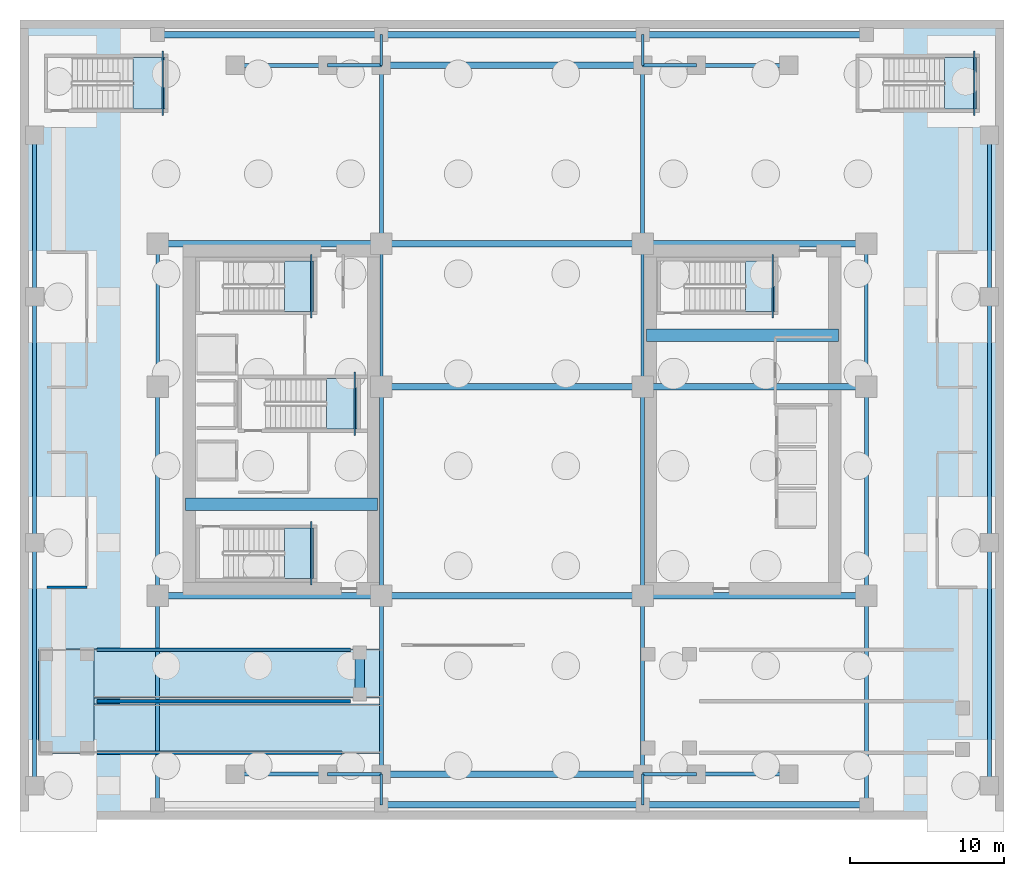
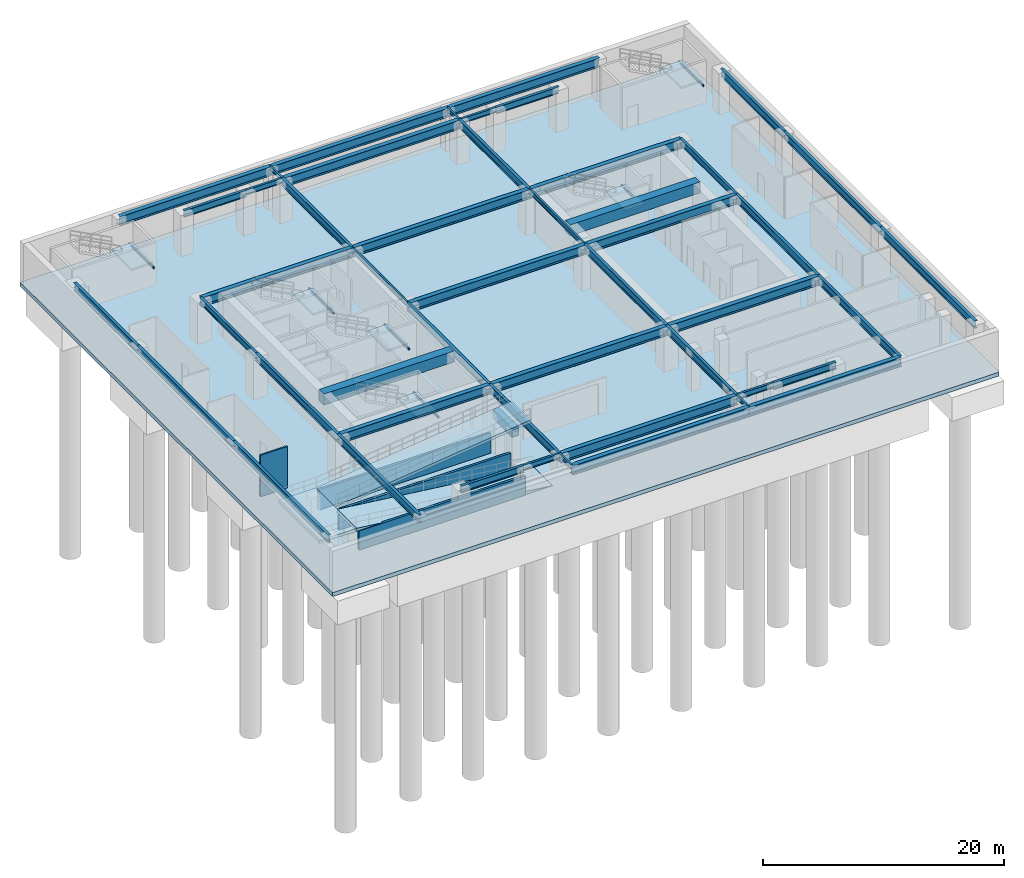
# One storey, part 2 of 9: 56 beams, 10 slabs, 4 walls, 6 elements without a shape of their own.
"""IFC4 building model written with IfcOpenShell, lengths in metres."""

import ifcopenshell
import ifcopenshell.guid

model = None  # the IFC model being written
_history = None  # IfcOwnerHistory: only IFC2X3 demands one
_inside = {}  # id of a spatial element -> (the spatial element, [elements in it])
_under = {}  # id of a project, library or spatial element -> (it, [spatial elements below it])
_declared = {}  # id of a project -> (the project, [libraries it declares])
_typed = {}  # id of a type object -> (the type object, [elements of that type])
_made_of = {}  # id of a material, layer set ... -> (it, [elements and type objects made of it])


def new_model(schema):
    """Start an empty IFC model of exactly this schema.

    Asked for "IFC4X3", IfcOpenShell would pick the latest addendum, in which some entities
    have other attributes; the version numbers below select the first issue.
    IFC2X3 requires an IfcOwnerHistory on every rooted entity: one is made here for all.
    """
    global model, _history
    if schema == "IFC4X3":
        model = ifcopenshell.file(schema_version=(4, 3, 0, 0))
    else:
        model = ifcopenshell.file(schema=schema)
    _inside.clear()
    _under.clear()
    _declared.clear()
    _typed.clear()
    _made_of.clear()
    _history = None
    if model.schema == "IFC2X3":
        org = make("IfcOrganization", Name="unknown")
        user = make(
            "IfcPersonAndOrganization",
            ThePerson=make("IfcPerson", FamilyName="unknown"),
            TheOrganization=org,
        )
        app = make(
            "IfcApplication",
            ApplicationDeveloper=org,
            Version="unknown",
            ApplicationFullName="unknown",
            ApplicationIdentifier="unknown",
        )
        _history = make(
            "IfcOwnerHistory",
            OwningUser=user,
            OwningApplication=app,
            ChangeAction="ADDED",
            CreationDate=0,
        )
    return model


def make(cls, **values):
    """One entity of the class cls with the attributes given. An attribute that is None is left unset."""
    return model.create_entity(
        cls, **{name: value for name, value in values.items() if value is not None}
    )


def rooted(cls, **values):
    """An entity with a GlobalId (a new one), such as an element, a storey or a relation."""
    return make(cls, GlobalId=ifcopenshell.guid.new(), OwnerHistory=_history, **values)


def si_unit(unit_type, name, prefix=None):
    """IfcSIUnit, for example si_unit("LENGTHUNIT", "METRE", prefix="MILLI")."""
    return make("IfcSIUnit", UnitType=unit_type, Prefix=prefix, Name=name)


def assignment(units):
    """IfcUnitAssignment: the units of a project."""
    return None if units is None else make("IfcUnitAssignment", Units=units)


def point(xyz):
    """IfcCartesianPoint."""
    return None if xyz is None else make("IfcCartesianPoint", Coordinates=xyz)


def direction(xyz):
    """IfcDirection."""
    return None if xyz is None else make("IfcDirection", DirectionRatios=xyz)


def frame(location, z_axis=None, x_axis=None):
    """IfcAxis2Placement3D, a coordinate frame: its origin and axes. An axis left out is left unset."""
    return make(
        "IfcAxis2Placement3D",
        Location=point(location),
        Axis=direction(z_axis),
        RefDirection=direction(x_axis),
    )


def frame_2d(location, x_axis=None):
    """IfcAxis2Placement2D, a coordinate frame in the plane: its origin and x axis."""
    return make(
        "IfcAxis2Placement2D", Location=point(location), RefDirection=direction(x_axis)
    )


def origin():
    """The frame at (0, 0, 0) with its axes left unset."""
    return frame((0.0, 0.0, 0.0))


def origin_2d():
    """The frame at (0, 0) in the plane with its x axis left unset."""
    return frame_2d((0.0, 0.0))


def place(relative_to, where):
    """IfcLocalPlacement: puts the frame where relative to a parent placement (None: the world)."""
    return make(
        "IfcLocalPlacement", PlacementRelTo=relative_to, RelativePlacement=where
    )


def context(
    kind, dimensions, precision=None, world=None, true_north=None, identifier=None
):
    """IfcGeometricRepresentationContext, for example the 3D "Model" context."""
    return make(
        "IfcGeometricRepresentationContext",
        ContextIdentifier=identifier,
        ContextType=kind,
        CoordinateSpaceDimension=dimensions,
        Precision=precision,
        WorldCoordinateSystem=world,
        TrueNorth=true_north,
    )


def subcontext(parent, identifier, kind, view, scale=None):
    """IfcGeometricRepresentationSubContext, for example "Body" below "Model"."""
    return make(
        "IfcGeometricRepresentationSubContext",
        ContextIdentifier=identifier,
        ContextType=kind,
        ParentContext=parent,
        TargetScale=scale,
        TargetView=view,
    )


def project(units=None, contexts=None):
    """IfcProject with its units and contexts."""
    return rooted(
        "IfcProject",
        Name="project",
        RepresentationContexts=contexts,
        UnitsInContext=assignment(units),
    )


def spatial(cls, under=None, at=None, **own):
    """A site, building, storey or space (cls), placed at a placement, below another one or the project."""
    s = rooted(cls, ObjectPlacement=at, **own)
    if under is not None:
        _under.setdefault(under.id(), (under, []))[1].append(s)
    return s


def polyline(points):
    """IfcPolyline through the points."""
    return make("IfcPolyline", Points=[point(p) for p in points])


def profile(cls, at=None, kind="AREA", **sizes):
    """A parametric profile (cls). Its sizes go by their IFC names, for example OverallWidth=200.0."""
    return make(cls, ProfileType=kind, Position=at, **sizes)


def rectangle(**sizes):
    """IfcRectangleProfileDef."""
    return profile("IfcRectangleProfileDef", **sizes)


def hollow_rectangle(**sizes):
    """IfcRectangleHollowProfileDef."""
    return profile("IfcRectangleHollowProfileDef", **sizes)


def i_section(**sizes):
    """IfcIShapeProfileDef."""
    return profile("IfcIShapeProfileDef", **sizes)


def outline(outer, holes=None, kind="AREA"):
    """IfcArbitraryClosedProfileDef: a profile drawn as a closed curve; with holes, ...WithVoids."""
    if holes is None:
        return make("IfcArbitraryClosedProfileDef", ProfileType=kind, OuterCurve=outer)
    return make(
        "IfcArbitraryProfileDefWithVoids",
        ProfileType=kind,
        OuterCurve=outer,
        InnerCurves=holes,
    )


def extrude(swept, where, along, depth):
    """IfcExtrudedAreaSolid: the profile swept, set in the frame where, extruded along a direction by depth."""
    return make(
        "IfcExtrudedAreaSolid",
        SweptArea=swept,
        Position=where,
        ExtrudedDirection=direction(along),
        Depth=depth,
    )


def shape(context_of_items, identifier, shape_type, items):
    """IfcShapeRepresentation: the items that make up one representation, for example the "Body"."""
    return make(
        "IfcShapeRepresentation",
        ContextOfItems=context_of_items,
        RepresentationIdentifier=identifier,
        RepresentationType=shape_type,
        Items=items,
    )


def source(mapping_origin, context_of_items, identifier, shape_type, items):
    """IfcRepresentationMap: a shape defined once, which mapped items show again and again."""
    return make(
        "IfcRepresentationMap",
        MappingOrigin=mapping_origin,
        MappedRepresentation=shape(context_of_items, identifier, shape_type, items),
    )


def transform(
    local_origin,
    x_axis=None,
    y_axis=None,
    z_axis=None,
    scale=None,
    scale2=None,
    scale3=None,
    uniform=True,
):
    """IfcCartesianTransformationOperator3D, or its non-uniform kind. x_axis, y_axis, z_axis: its Axis1, 2, 3."""
    if uniform:
        return make(
            "IfcCartesianTransformationOperator3D",
            Axis1=direction(x_axis),
            Axis2=direction(y_axis),
            LocalOrigin=point(local_origin),
            Scale=scale,
            Axis3=direction(z_axis),
        )
    return make(
        "IfcCartesianTransformationOperator3DnonUniform",
        Axis1=direction(x_axis),
        Axis2=direction(y_axis),
        LocalOrigin=point(local_origin),
        Scale=scale,
        Axis3=direction(z_axis),
        Scale2=scale2,
        Scale3=scale3,
    )


def mapped(mapping_source, mapping_target):
    """IfcMappedItem: shows the shape of a source again, moved by a transform."""
    return make(
        "IfcMappedItem", MappingSource=mapping_source, MappingTarget=mapping_target
    )


def material(Name=None, Category=None):
    """IfcMaterial."""
    return make("IfcMaterial", Name=Name, Category=Category)


def layer(
    of_material, thickness, ventilated=None, Name=None, Category=None, Priority=None
):
    """IfcMaterialLayer: one layer of a wall or slab, of a material (None: an air gap)."""
    return make(
        "IfcMaterialLayer",
        Material=of_material,
        LayerThickness=thickness,
        IsVentilated=ventilated,
        Name=Name,
        Category=Category,
        Priority=Priority,
    )


def layer_set(layers, Name=None):
    """IfcMaterialLayerSet."""
    return make("IfcMaterialLayerSet", MaterialLayers=layers, LayerSetName=Name)


def material_profile(
    of_material, cross_section, Name=None, Category=None, Priority=None
):
    """IfcMaterialProfile: a cross section and its material."""
    return make(
        "IfcMaterialProfile",
        Name=Name,
        Material=of_material,
        Profile=cross_section,
        Priority=Priority,
        Category=Category,
    )


def profile_set(profiles, Name=None, composite=None):
    """IfcMaterialProfileSet."""
    return make(
        "IfcMaterialProfileSet",
        Name=Name,
        MaterialProfiles=profiles,
        CompositeProfile=composite,
    )


def made_of(thing, what):
    """Note that an element or type object is made of a material, layer set ...; save() writes the relation."""
    if what is not None:
        _made_of.setdefault(what.id(), (what, []))[1].append(thing)
    return thing


def type_object(cls, material=None, **own):
    """A type object (cls), such as IfcWallType, which elements share."""
    return made_of(rooted(cls, **own), material)


def element(
    cls,
    number,
    at=None,
    inside=None,
    cuts=None,
    type_object=None,
    material=None,
    context=None,
    identifier="Body",
    shape_type=None,
    held_by="IfcProductDefinitionShape",
    body=None,
    shapes=None,
    **own,
):
    """One element of the class cls, such as IfcWall. Its Tag is "e" and its number.

    at: its placement. inside: the storey or other place that contains it. cuts: it is an
    opening in that element (IfcRelVoidsElement). A single representation is given by context,
    identifier, shape_type and body (its items); several are given by shapes. held_by: the class
    of the entity that holds the representations. save() writes the other relations.
    """
    e = rooted(cls, Tag="e%d" % number, ObjectPlacement=at, **own)
    if body is not None:
        shapes = [shape(context, identifier, shape_type, body)]
    if shapes is not None:
        e.Representation = make(held_by, Representations=shapes)
    if inside is not None:
        _inside.setdefault(inside.id(), (inside, []))[1].append(e)
    if cuts is not None:
        rooted(
            "IfcRelVoidsElement", RelatingBuildingElement=cuts, RelatedOpeningElement=e
        )
    if type_object is not None:
        _typed.setdefault(type_object.id(), (type_object, []))[1].append(e)
    return made_of(e, material)


def aggregate(whole, parts):
    """IfcRelAggregates: a whole, such as a stair, and the parts it consists of."""
    return rooted("IfcRelAggregates", RelatingObject=whole, RelatedObjects=parts)


def save(model, path):
    """Write the relations noted so far, then the file.

    IfcRelAggregates (storeys below a building ...), IfcRelContainedInSpatialStructure (elements
    in a storey), IfcRelDefinesByType, IfcRelAssociatesMaterial and IfcRelDeclares: one each for
    every whole, place, type object, material and project.
    """
    for whole, parts in _under.values():
        aggregate(whole, parts)
    for where, things in _inside.values():
        rooted(
            "IfcRelContainedInSpatialStructure",
            RelatedElements=things,
            RelatingStructure=where,
        )
    for kind, things in _typed.values():
        rooted("IfcRelDefinesByType", RelatedObjects=things, RelatingType=kind)
    for what, things in _made_of.values():
        rooted("IfcRelAssociatesMaterial", RelatedObjects=things, RelatingMaterial=what)
    for by, libraries in _declared.values():
        rooted("IfcRelDeclares", RelatingContext=by, RelatedDefinitions=libraries)
    model.write(path)


model = new_model("IFC4")

# Units and contexts
model_context = context("Model", 3, precision=1e-05, world=origin(), true_north=direction((0.0, 1.0)))
body_context = subcontext(model_context, "Body", "Model", "MODEL_VIEW")
ifc_project = project(units=[si_unit("LENGTHUNIT", "METRE"), si_unit("AREAUNIT", "SQUARE_METRE"), si_unit("VOLUMEUNIT", "CUBIC_METRE"), si_unit("PLANEANGLEUNIT", "RADIAN"), si_unit("MASSUNIT", "GRAM", prefix="KILO")], contexts=[model_context])

# Site, building, storey
site_placement = place(None, origin())
site = spatial("IfcSite", under=ifc_project, at=site_placement, CompositionType="ELEMENT")
building_placement = place(site_placement, origin())
building = spatial("IfcBuilding", under=site, at=building_placement, Name="Ocotamira Hotel", CompositionType="ELEMENT")
storey_placement = place(building_placement, frame((0.0, 0.0, -9.0)))
storey = spatial("IfcBuildingStorey", under=building, at=storey_placement, Name="B02", CompositionType="ELEMENT", Elevation=-9.0)

# Beams
ifc_material_1 = material(Name="Concrete C60/75", Category="concrete")
ifc_material_profile_1 = material_profile(ifc_material_1, rectangle(XDim=0.800048828125, YDim=1.10009765625, at=origin_2d()), Name="RC800X1100")
ifc_profile_set_1 = profile_set([ifc_material_profile_1], Name="Concrete C60/75")
beam_type_1 = type_object("IfcBeamType", Name="BM-LINK-RC800", PredefinedType="LINTEL", material=ifc_profile_set_1)
shared_shape_1 = source(origin(), body_context, "Body", "SweptSolid", [
    extrude(rectangle(XDim=0.800048828125, YDim=1.10009765625, at=origin_2d()), origin(), (0.0, 0.0, 1.0), 12.5),
])
for number, where, z_axis, x_axis, name in (
    (1, (10.75, 20.5, 3.64990234375), (1.0, 0.0, 0.0), (0.0, 1.0, 0.0), "B02 West Core Coupling Beam"),
    (2, (40.75, 31.5, 3.64990234375), (1.0, 0.0, 0.0), (0.0, 1.0, 0.0), "B02 East Core Coupling Beam"),
):
    element("IfcBeam", number, at=place(storey_placement, frame(where, z_axis=z_axis, x_axis=x_axis)), inside=storey, type_object=beam_type_1, Name=name, PredefinedType="LINTEL", context=body_context, shape_type="MappedRepresentation", body=[
        mapped(shared_shape_1, transform((0.0, 0.0, 0.0), scale=1.0)),
    ])
ifc_material_2 = material(Name="Concrete C50/60", Category="concrete")
ifc_material_profile_2 = material_profile(ifc_material_2, rectangle(XDim=0.60009765625, YDim=0.89990234375, at=origin_2d()), Name="RC600X900")
ifc_profile_set_2 = profile_set([ifc_material_profile_2], Name="Concrete C50/60")
beam_type_2 = type_object("IfcBeamType", Name="BM-LINK-RC600", PredefinedType="LINTEL", material=ifc_profile_set_2)
shared_shape_2 = source(origin(), body_context, "Body", "SweptSolid", [
    extrude(rectangle(XDim=0.60009765625, YDim=0.89990234375, at=origin_2d()), origin(), (0.0, 0.0, 1.0), 3.2001953125),
])
beam_placement = place(storey_placement, frame((22.10009765625, 7.89990234375, 3.800048828125), z_axis=(0.0, 1.0, 0.0), x_axis=(-1.0, 0.0, 0.0)))
element("IfcBeam", 3, at=beam_placement, inside=storey, type_object=beam_type_2, Name="B02 Ramp VR-1 Arrival Header Beam", PredefinedType="LINTEL", context=body_context, shape_type="MappedRepresentation", body=[
    mapped(shared_shape_2, transform((0.0, 0.0, 0.0), scale=1.0)),
])
ifc_material_3 = material(Name="Steel ASTM A500 Grade C", Category="steel")
ifc_material_profile_3 = material_profile(ifc_material_3, hollow_rectangle(XDim=0.10009765625, YDim=0.199951171875, WallThickness=0.008056640625, at=origin_2d()), Name="HSS200X100X8")
ifc_profile_set_3 = profile_set([ifc_material_profile_3], Name="Steel ASTM A500 Grade C")
beam_type_3 = type_object("IfcBeamType", Name="BM-STLDG-HSS200", PredefinedType="BEAM", material=ifc_profile_set_3)
shared_shape_3 = source(origin(), body_context, "Body", "SweptSolid", [
    extrude(hollow_rectangle(XDim=0.10009765625, YDim=0.199951171875, WallThickness=0.008056640625, at=origin_2d()), origin(), (0.0, 0.0, 1.0), 4.1201171875),
])
for number, where, z_axis, x_axis, name in (
    (4, (18.949951171875, 15.25, 1.949951171875), (0.0, 1.0, 0.0), (-1.0, 0.0, 0.0), "B02 Stair ST-1 Landing Bearer 1"),
    (5, (18.949951171875, 32.6298828125, 1.949951171875), (0.0, 1.0, 0.0), (-1.0, 0.0, 0.0), "B02 Stair ST-2 Landing Bearer 1"),
    (6, (21.780029296875, 24.97998046875, 1.949951171875), (0.0, 1.0, 0.0), (-1.0, 0.0, 0.0), "B02 Stair ST-3 Landing Bearer 1"),
    (7, (48.949951171875, 32.6298828125, 1.949951171875), (0.0, 1.0, 0.0), (-1.0, 0.0, 0.0), "B02 Stair ST-4 Landing Bearer 1"),
):
    element("IfcBeam", number, at=place(storey_placement, frame(where, z_axis=z_axis, x_axis=x_axis)), inside=storey, type_object=beam_type_3, Name=name, PredefinedType="BEAM", context=body_context, shape_type="MappedRepresentation", body=[
        mapped(shared_shape_3, transform((0.0, 0.0, 0.0), scale=1.0)),
    ])
shared_shape_4 = source(origin(), body_context, "Body", "SweptSolid", [
    extrude(hollow_rectangle(XDim=0.10009765625, YDim=0.199951171875, WallThickness=0.008056640625, at=origin_2d()), origin(), (0.0, 0.0, 1.0), 4.199951171875),
])
for number, where, z_axis, x_axis, name in (
    (8, (9.280029296875, 45.780029296875, 1.949951171875), (0.0, 1.0, 0.0), (-1.0, 0.0, 0.0), "B02 Stair ST-5 Landing Bearer 1"),
    (9, (62.06005859375, 45.780029296875, 1.949951171875), (0.0, 1.0, 0.0), (-1.0, 0.0, 0.0), "B02 Stair ST-6 Landing Bearer 1"),
):
    element("IfcBeam", number, at=place(storey_placement, frame(where, z_axis=z_axis, x_axis=x_axis)), inside=storey, type_object=beam_type_3, Name=name, PredefinedType="BEAM", context=body_context, shape_type="MappedRepresentation", body=[
        mapped(shared_shape_4, transform((0.0, 0.0, 0.0), scale=1.0)),
    ])
ifc_material_4 = material(Name="Steel ASTM A992 Grade 50", Category="steel")
ifc_material_profile_4 = material_profile(ifc_material_4, i_section(OverallWidth=0.41796875, OverallDepth=0.927001953125, WebThickness=0.019287109375, FlangeThickness=0.031982421875, FilletRadius=0.02392578125, at=origin_2d()), Name="W36X231")
ifc_profile_set_4 = profile_set([ifc_material_profile_4], Name="Steel ASTM A992 Grade 50")
beam_type_4 = type_object("IfcBeamType", Name="BM-GIRD-W36X231", PredefinedType="BEAM", material=ifc_profile_set_4)
shared_shape_5 = source(origin(), body_context, "Body", "SweptSolid", [
    extrude(i_section(OverallWidth=0.41796875, OverallDepth=0.927001953125, WebThickness=0.019287109375, FlangeThickness=0.031982421875, FilletRadius=0.02392578125, at=origin_2d()), origin(), (0.0, 0.0, 1.0), 14.550048828125),
])
for number, where, z_axis, x_axis, name in (
    (10, (40.5, 0.949951171875, 3.736572265625), (1.0, 0.0, 0.0), (0.0, 1.0, 0.0), "B02 Girder Y0.95 X40.5-55.05"),
    (11, (8.949951171875, 14.550048828125, 3.736572265625), (1.0, 0.0, 0.0), (0.0, 1.0, 0.0), "B02 Girder Y14.55 X8.95-23.5"),
    (12, (40.5, 14.550048828125, 3.736572265625), (1.0, 0.0, 0.0), (0.0, 1.0, 0.0), "B02 Girder Y14.55 X40.5-55.05"),
    (13, (40.5, 28.14990234375, 3.736572265625), (1.0, 0.0, 0.0), (0.0, 1.0, 0.0), "B02 Girder Y28.15 X40.5-55.05"),
    (14, (8.949951171875, 37.449951171875, 3.736572265625), (1.0, 0.0, 0.0), (0.0, 1.0, 0.0), "B02 Girder Y37.45 X8.95-23.5"),
    (15, (40.5, 37.449951171875, 3.736572265625), (1.0, 0.0, 0.0), (0.0, 1.0, 0.0), "B02 Girder Y37.45 X40.5-55.05"),
    (16, (8.949951171875, 51.050048828125, 3.736572265625), (1.0, 0.0, 0.0), (0.0, 1.0, 0.0), "B02 Girder Y51.05 X8.95-23.5"),
    (17, (40.5, 51.050048828125, 3.736572265625), (1.0, 0.0, 0.0), (0.0, 1.0, 0.0), "B02 Girder Y51.05 X40.5-55.05"),
):
    element("IfcBeam", number, at=place(storey_placement, frame(where, z_axis=z_axis, x_axis=x_axis)), inside=storey, type_object=beam_type_4, Name=name, PredefinedType="BEAM", context=body_context, shape_type="MappedRepresentation", body=[
        mapped(shared_shape_5, transform((0.0, 0.0, 0.0), scale=1.0)),
    ])
shared_shape_6 = source(origin(), body_context, "Body", "SweptSolid", [
    extrude(i_section(OverallWidth=0.41796875, OverallDepth=0.927001953125, WebThickness=0.019287109375, FlangeThickness=0.031982421875, FilletRadius=0.02392578125, at=origin_2d()), origin(), (0.0, 0.0, 1.0), 17.0),
])
for number, where, z_axis, x_axis, name in (
    (18, (23.5, 0.949951171875, 3.736572265625), (1.0, 0.0, 0.0), (0.0, 1.0, 0.0), "B02 Girder Y0.95 X23.5-40.5"),
    (19, (23.5, 2.949951171875, 3.736572265625), (1.0, 0.0, 0.0), (0.0, 1.0, 0.0), "B02 Girder Y2.95 X23.5-40.5"),
    (20, (23.5, 14.550048828125, 3.736572265625), (1.0, 0.0, 0.0), (0.0, 1.0, 0.0), "B02 Girder Y14.55 X23.5-40.5"),
    (21, (23.5, 28.14990234375, 3.736572265625), (1.0, 0.0, 0.0), (0.0, 1.0, 0.0), "B02 Girder Y28.15 X23.5-40.5"),
    (22, (23.5, 37.449951171875, 3.736572265625), (1.0, 0.0, 0.0), (0.0, 1.0, 0.0), "B02 Girder Y37.45 X23.5-40.5"),
    (23, (23.5, 49.050048828125, 3.736572265625), (1.0, 0.0, 0.0), (0.0, 1.0, 0.0), "B02 Girder Y49.05 X23.5-40.5"),
    (24, (23.5, 51.050048828125, 3.736572265625), (1.0, 0.0, 0.0), (0.0, 1.0, 0.0), "B02 Girder Y51.05 X23.5-40.5"),
):
    element("IfcBeam", number, at=place(storey_placement, frame(where, z_axis=z_axis, x_axis=x_axis)), inside=storey, type_object=beam_type_4, Name=name, PredefinedType="BEAM", context=body_context, shape_type="MappedRepresentation", body=[
        mapped(shared_shape_6, transform((0.0, 0.0, 0.0), scale=1.0)),
    ])
ifc_material_profile_5 = material_profile(ifc_material_4, i_section(OverallWidth=0.256103515625, OverallDepth=0.693115234375, WebThickness=0.014404296875, FlangeThickness=0.023681640625, FilletRadius=0.01611328125, at=origin_2d()), Name="W27X114")
ifc_profile_set_5 = profile_set([ifc_material_profile_5], Name="Steel ASTM A992 Grade 50")
beam_type_5 = type_object("IfcBeamType", Name="BM-PRIM-W27X114", PredefinedType="BEAM", material=ifc_profile_set_5)
shared_shape_7 = source(origin(), body_context, "Body", "SweptSolid", [
    extrude(i_section(OverallWidth=0.256103515625, OverallDepth=0.693115234375, WebThickness=0.014404296875, FlangeThickness=0.023681640625, FilletRadius=0.01611328125, at=origin_2d()), origin(), (0.0, 0.0, 1.0), 6.0),
])
for number, where, z_axis, x_axis, name in (
    (25, (14.0, 2.949951171875, 3.853515625), (1.0, 0.0, 0.0), (0.0, 1.0, 0.0), "B02 Girder Y2.95 X14-20"),
    (26, (44.0, 2.949951171875, 3.853515625), (1.0, 0.0, 0.0), (0.0, 1.0, 0.0), "B02 Girder Y2.95 X44-50"),
    (27, (14.0, 49.050048828125, 3.853515625), (1.0, 0.0, 0.0), (0.0, 1.0, 0.0), "B02 Girder Y49.05 X14-20"),
    (28, (44.0, 49.050048828125, 3.853515625), (1.0, 0.0, 0.0), (0.0, 1.0, 0.0), "B02 Girder Y49.05 X44-50"),
):
    element("IfcBeam", number, at=place(storey_placement, frame(where, z_axis=z_axis, x_axis=x_axis)), inside=storey, type_object=beam_type_5, Name=name, PredefinedType="BEAM", context=body_context, shape_type="MappedRepresentation", body=[
        mapped(shared_shape_7, transform((0.0, 0.0, 0.0), scale=1.0)),
    ])
ifc_material_profile_6 = material_profile(ifc_material_4, i_section(OverallWidth=0.2099609375, OverallDepth=0.537109375, WebThickness=0.010986328125, FlangeThickness=0.017333984375, FilletRadius=0.012939453125, at=origin_2d()), Name="W21X68")
ifc_profile_set_6 = profile_set([ifc_material_profile_6], Name="Steel ASTM A992 Grade 50")
beam_type_6 = type_object("IfcBeamType", Name="BM-SEC-W21X68", PredefinedType="JOIST", material=ifc_profile_set_6)
shared_shape_8 = source(origin(), body_context, "Body", "SweptSolid", [
    extrude(i_section(OverallWidth=0.2099609375, OverallDepth=0.537109375, WebThickness=0.010986328125, FlangeThickness=0.017333984375, FilletRadius=0.012939453125, at=origin_2d()), origin(), (0.0, 0.0, 1.0), 3.5),
])
for number, where, z_axis, x_axis, name in (
    (29, (20.0, 2.949951171875, 3.931396484375), (1.0, 0.0, 0.0), (0.0, 1.0, 0.0), "B02 Girder Y2.95 X20-23.5"),
    (30, (40.5, 2.949951171875, 3.931396484375), (1.0, 0.0, 0.0), (0.0, 1.0, 0.0), "B02 Girder Y2.95 X40.5-44"),
    (31, (20.0, 49.050048828125, 3.931396484375), (1.0, 0.0, 0.0), (0.0, 1.0, 0.0), "B02 Girder Y49.05 X20-23.5"),
    (32, (40.5, 49.050048828125, 3.931396484375), (1.0, 0.0, 0.0), (0.0, 1.0, 0.0), "B02 Girder Y49.05 X40.5-44"),
):
    element("IfcBeam", number, at=place(storey_placement, frame(where, z_axis=z_axis, x_axis=x_axis)), inside=storey, type_object=beam_type_6, Name=name, PredefinedType="JOIST", context=body_context, shape_type="MappedRepresentation", body=[
        mapped(shared_shape_8, transform((0.0, 0.0, 0.0), scale=1.0)),
    ])
ifc_material_profile_7 = material_profile(ifc_material_4, i_section(OverallWidth=0.26611328125, OverallDepth=0.779052734375, WebThickness=0.0166015625, FlangeThickness=0.030029296875, FilletRadius=0.01806640625, at=origin_2d()), Name="W30X148")
ifc_profile_set_7 = profile_set([ifc_material_profile_7], Name="Steel ASTM A992 Grade 50")
beam_type_7 = type_object("IfcBeamType", Name="BM-GIRD-W30X148", PredefinedType="BEAM", material=ifc_profile_set_7)
shared_shape_9 = source(origin(), body_context, "Body", "SweptSolid", [
    extrude(i_section(OverallWidth=0.26611328125, OverallDepth=0.779052734375, WebThickness=0.0166015625, FlangeThickness=0.030029296875, FilletRadius=0.01806640625, at=origin_2d()), origin(), (0.0, 0.0, 1.0), 15.800048828125),
])
for number, where, z_axis, x_axis, name in (
    (33, (0.949951171875, 2.199951171875, 3.810546875), (0.0, 1.0, 0.0), (-1.0, 0.0, 0.0), "B02 Beam X0.95 Y2.2-18"),
    (34, (63.050048828125, 2.199951171875, 3.810546875), (0.0, 1.0, 0.0), (-1.0, 0.0, 0.0), "B02 Beam X63.05 Y2.2-18"),
):
    element("IfcBeam", number, at=place(storey_placement, frame(where, z_axis=z_axis, x_axis=x_axis)), inside=storey, type_object=beam_type_7, Name=name, PredefinedType="BEAM", context=body_context, shape_type="MappedRepresentation", body=[
        mapped(shared_shape_9, transform((0.0, 0.0, 0.0), scale=1.0)),
    ])
shared_shape_10 = source(origin(), body_context, "Body", "SweptSolid", [
    extrude(i_section(OverallWidth=0.26611328125, OverallDepth=0.779052734375, WebThickness=0.0166015625, FlangeThickness=0.030029296875, FilletRadius=0.01806640625, at=origin_2d()), origin(), (0.0, 0.0, 1.0), 16.0),
])
for number, where, z_axis, x_axis, name in (
    (35, (0.949951171875, 18.0, 3.810546875), (0.0, 1.0, 0.0), (-1.0, 0.0, 0.0), "B02 Beam X0.95 Y18-34"),
    (36, (63.050048828125, 18.0, 3.810546875), (0.0, 1.0, 0.0), (-1.0, 0.0, 0.0), "B02 Beam X63.05 Y18-34"),
):
    element("IfcBeam", number, at=place(storey_placement, frame(where, z_axis=z_axis, x_axis=x_axis)), inside=storey, type_object=beam_type_7, Name=name, PredefinedType="BEAM", context=body_context, shape_type="MappedRepresentation", body=[
        mapped(shared_shape_10, transform((0.0, 0.0, 0.0), scale=1.0)),
    ])
shared_shape_11 = source(origin(), body_context, "Body", "SweptSolid", [
    extrude(i_section(OverallWidth=0.26611328125, OverallDepth=0.779052734375, WebThickness=0.0166015625, FlangeThickness=0.030029296875, FilletRadius=0.01806640625, at=origin_2d()), origin(), (0.0, 0.0, 1.0), 10.5),
])
for number, where, z_axis, x_axis, name in (
    (37, (0.949951171875, 34.0, 3.810546875), (0.0, 1.0, 0.0), (-1.0, 0.0, 0.0), "B02 Beam X0.95 Y34-44.5"),
    (38, (63.050048828125, 34.0, 3.810546875), (0.0, 1.0, 0.0), (-1.0, 0.0, 0.0), "B02 Beam X63.05 Y34-44.5"),
):
    element("IfcBeam", number, at=place(storey_placement, frame(where, z_axis=z_axis, x_axis=x_axis)), inside=storey, type_object=beam_type_7, Name=name, PredefinedType="BEAM", context=body_context, shape_type="MappedRepresentation", body=[
        mapped(shared_shape_11, transform((0.0, 0.0, 0.0), scale=1.0)),
    ])
shared_shape_12 = source(origin(), body_context, "Body", "SweptSolid", [
    extrude(i_section(OverallWidth=0.26611328125, OverallDepth=0.779052734375, WebThickness=0.0166015625, FlangeThickness=0.030029296875, FilletRadius=0.01806640625, at=origin_2d()), origin(), (0.0, 0.0, 1.0), 13.60009765625),
])
for number, where, z_axis, x_axis, name in (
    (39, (8.949951171875, 0.949951171875, 3.810546875), (0.0, 1.0, 0.0), (-1.0, 0.0, 0.0), "B02 Beam X8.95 Y0.95-14.55"),
    (40, (55.050048828125, 0.949951171875, 3.810546875), (0.0, 1.0, 0.0), (-1.0, 0.0, 0.0), "B02 Beam X55.05 Y0.95-14.55"),
):
    element("IfcBeam", number, at=place(storey_placement, frame(where, z_axis=z_axis, x_axis=x_axis)), inside=storey, type_object=beam_type_7, Name=name, PredefinedType="BEAM", context=body_context, shape_type="MappedRepresentation", body=[
        mapped(shared_shape_12, transform((0.0, 0.0, 0.0), scale=1.0)),
    ])
shared_shape_13 = source(origin(), body_context, "Body", "SweptSolid", [
    extrude(i_section(OverallWidth=0.26611328125, OverallDepth=0.779052734375, WebThickness=0.0166015625, FlangeThickness=0.030029296875, FilletRadius=0.01806640625, at=origin_2d()), origin(), (0.0, 0.0, 1.0), 13.599853515625),
])
for number, where, z_axis, x_axis, name in (
    (41, (8.949951171875, 14.550048828125, 3.810546875), (0.0, 1.0, 0.0), (-1.0, 0.0, 0.0), "B02 Beam X8.95 Y14.55-28.15"),
    (42, (23.5, 14.550048828125, 3.810546875), (0.0, 1.0, 0.0), (-1.0, 0.0, 0.0), "B02 Beam X23.5 Y14.55-28.15"),
    (43, (40.5, 14.550048828125, 3.810546875), (0.0, 1.0, 0.0), (-1.0, 0.0, 0.0), "B02 Beam X40.5 Y14.55-28.15"),
    (44, (55.050048828125, 14.550048828125, 3.810546875), (0.0, 1.0, 0.0), (-1.0, 0.0, 0.0), "B02 Beam X55.05 Y14.55-28.15"),
):
    element("IfcBeam", number, at=place(storey_placement, frame(where, z_axis=z_axis, x_axis=x_axis)), inside=storey, type_object=beam_type_7, Name=name, PredefinedType="BEAM", context=body_context, shape_type="MappedRepresentation", body=[
        mapped(shared_shape_13, transform((0.0, 0.0, 0.0), scale=1.0)),
    ])
ifc_material_profile_8 = material_profile(ifc_material_4, i_section(OverallWidth=0.22998046875, OverallDepth=0.616943359375, WebThickness=0.01318359375, FlangeThickness=0.022216796875, FilletRadius=0.012939453125, at=origin_2d()), Name="W24X94")
ifc_profile_set_8 = profile_set([ifc_material_profile_8], Name="Steel ASTM A992 Grade 50")
beam_type_8 = type_object("IfcBeamType", Name="BM-PRIM-W24X94", PredefinedType="BEAM", material=ifc_profile_set_8)
shared_shape_14 = source(origin(), body_context, "Body", "SweptSolid", [
    extrude(i_section(OverallWidth=0.22998046875, OverallDepth=0.616943359375, WebThickness=0.01318359375, FlangeThickness=0.022216796875, FilletRadius=0.012939453125, at=origin_2d()), origin(), (0.0, 0.0, 1.0), 9.300048828125),
])
for number, where, z_axis, x_axis, name in (
    (45, (8.949951171875, 28.14990234375, 3.8916015625), (0.0, 1.0, 0.0), (-1.0, 0.0, 0.0), "B02 Beam X8.95 Y28.15-37.45"),
    (46, (55.050048828125, 28.14990234375, 3.8916015625), (0.0, 1.0, 0.0), (-1.0, 0.0, 0.0), "B02 Beam X55.05 Y28.15-37.45"),
):
    element("IfcBeam", number, at=place(storey_placement, frame(where, z_axis=z_axis, x_axis=x_axis)), inside=storey, type_object=beam_type_8, Name=name, PredefinedType="BEAM", context=body_context, shape_type="MappedRepresentation", body=[
        mapped(shared_shape_14, transform((0.0, 0.0, 0.0), scale=1.0)),
    ])
ifc_material_profile_9 = material_profile(ifc_material_4, i_section(OverallWidth=0.177978515625, OverallDepth=0.403076171875, WebThickness=0.007568359375, FlangeThickness=0.010986328125, FilletRadius=0.010009765625, at=origin_2d()), Name="W16X36")
ifc_profile_set_9 = profile_set([ifc_material_profile_9], Name="Steel ASTM A992 Grade 50")
beam_type_9 = type_object("IfcBeamType", Name="BM-SEC-W16X36", PredefinedType="JOIST", material=ifc_profile_set_9)
shared_shape_15 = source(origin(), body_context, "Body", "SweptSolid", [
    extrude(i_section(OverallWidth=0.177978515625, OverallDepth=0.403076171875, WebThickness=0.007568359375, FlangeThickness=0.010986328125, FilletRadius=0.010009765625, at=origin_2d()), origin(), (0.0, 0.0, 1.0), 2.0),
])
for number, where, z_axis, x_axis, name in (
    (47, (23.5, 0.949951171875, 3.99853515625), (0.0, 1.0, 0.0), (-1.0, 0.0, 0.0), "B02 Beam X23.5 Y0.95-2.95"),
    (48, (23.5, 49.050048828125, 3.99853515625), (0.0, 1.0, 0.0), (-1.0, 0.0, 0.0), "B02 Beam X23.5 Y49.05-51.05"),
    (49, (40.5, 0.949951171875, 3.99853515625), (0.0, 1.0, 0.0), (-1.0, 0.0, 0.0), "B02 Beam X40.5 Y0.95-2.95"),
    (50, (40.5, 49.050048828125, 3.99853515625), (0.0, 1.0, 0.0), (-1.0, 0.0, 0.0), "B02 Beam X40.5 Y49.05-51.05"),
):
    element("IfcBeam", number, at=place(storey_placement, frame(where, z_axis=z_axis, x_axis=x_axis)), inside=storey, type_object=beam_type_9, Name=name, PredefinedType="JOIST", context=body_context, shape_type="MappedRepresentation", body=[
        mapped(shared_shape_15, transform((0.0, 0.0, 0.0), scale=1.0)),
    ])
shared_shape_16 = source(origin(), body_context, "Body", "SweptSolid", [
    extrude(i_section(OverallWidth=0.26611328125, OverallDepth=0.779052734375, WebThickness=0.0166015625, FlangeThickness=0.030029296875, FilletRadius=0.01806640625, at=origin_2d()), origin(), (0.0, 0.0, 1.0), 11.60009765625),
])
for number, where, z_axis, x_axis, name in (
    (51, (23.5, 2.949951171875, 3.810546875), (0.0, 1.0, 0.0), (-1.0, 0.0, 0.0), "B02 Beam X23.5 Y2.95-14.55"),
    (52, (23.5, 37.449951171875, 3.810546875), (0.0, 1.0, 0.0), (-1.0, 0.0, 0.0), "B02 Beam X23.5 Y37.45-49.05"),
    (53, (40.5, 2.949951171875, 3.810546875), (0.0, 1.0, 0.0), (-1.0, 0.0, 0.0), "B02 Beam X40.5 Y2.95-14.55"),
    (54, (40.5, 37.449951171875, 3.810546875), (0.0, 1.0, 0.0), (-1.0, 0.0, 0.0), "B02 Beam X40.5 Y37.45-49.05"),
):
    element("IfcBeam", number, at=place(storey_placement, frame(where, z_axis=z_axis, x_axis=x_axis)), inside=storey, type_object=beam_type_7, Name=name, PredefinedType="BEAM", context=body_context, shape_type="MappedRepresentation", body=[
        mapped(shared_shape_16, transform((0.0, 0.0, 0.0), scale=1.0)),
    ])
ifc_material_profile_10 = material_profile(ifc_material_4, i_section(OverallWidth=0.18994140625, OverallDepth=0.45703125, WebThickness=0.009033203125, FlangeThickness=0.014404296875, FilletRadius=0.010009765625, at=origin_2d()), Name="W18X50")
ifc_profile_set_10 = profile_set([ifc_material_profile_10], Name="Steel ASTM A992 Grade 50")
beam_type_10 = type_object("IfcBeamType", Name="BM-SEC-W18X50", PredefinedType="JOIST", material=ifc_profile_set_10)
shared_shape_17 = source(origin(), body_context, "Body", "SweptSolid", [
    extrude(i_section(OverallWidth=0.18994140625, OverallDepth=0.45703125, WebThickness=0.009033203125, FlangeThickness=0.014404296875, FilletRadius=0.010009765625, at=origin_2d()), origin(), (0.0, 0.0, 1.0), 9.300048828125),
])
for number, where, z_axis, x_axis, name in (
    (55, (23.5, 28.14990234375, 3.971435546875), (0.0, 1.0, 0.0), (-1.0, 0.0, 0.0), "B02 Beam X23.5 Y28.15-37.45"),
    (56, (40.5, 28.14990234375, 3.971435546875), (0.0, 1.0, 0.0), (-1.0, 0.0, 0.0), "B02 Beam X40.5 Y28.15-37.45"),
):
    element("IfcBeam", number, at=place(storey_placement, frame(where, z_axis=z_axis, x_axis=x_axis)), inside=storey, type_object=beam_type_10, Name=name, PredefinedType="JOIST", context=body_context, shape_type="MappedRepresentation", body=[
        mapped(shared_shape_17, transform((0.0, 0.0, 0.0), scale=1.0)),
    ])

# Slab
ifc_layer_1 = layer(ifc_material_2, 0.39990234375)
ifc_layer_set_1 = layer_set([ifc_layer_1], Name="Concrete C50/60")
slab_type_1 = type_object("IfcSlabType", Name="SLB-BASE-400", PredefinedType="BASESLAB", material=ifc_layer_set_1)
slab_1_placement = place(storey_placement, frame((0.0, 0.0, -0.39990234375)))
element("IfcSlab", 57, at=slab_1_placement, inside=storey, type_object=slab_type_1, Name="B02 Structural Base Slab", PredefinedType="BASESLAB", context=body_context, shape_type="SweptSolid", body=[
    extrude(outline(polyline([(0.0, 0.0), (64.0, 0.0), (64.0, 52.0), (0.0, 52.0), (0.0, 0.0)]), holes=[polyline([(21.0, 4.300048828125), (23.60009765625, 4.300048828125), (23.60009765625, 7.5), (21.0, 7.5), (21.0, 4.300048828125)])]), origin(), (0.0, 0.0, 1.0), 0.39990234375),
])

# Stair, slab
ifc_material_5 = material(Name="Concrete C40/50", Category="concrete")
stair_type_1 = type_object("IfcStairType", Name="ST-CORE-1560", PredefinedType="HALF_TURN_STAIR", material=ifc_material_5)
stair_1_placement = place(storey_placement, origin())
stair_1 = element("IfcStair", 58, at=stair_1_placement, inside=storey, type_object=stair_type_1, Name="B02 Exit Stair ST-1", PredefinedType="HALF_TURN_STAIR")
ifc_layer_2 = layer(ifc_material_5, 0.199951171875)
ifc_layer_set_2 = layer_set([ifc_layer_2], Name="Concrete C40/50")
slab_type_2 = type_object("IfcSlabType", Name="SLB-LAND-200", PredefinedType="LANDING", material=ifc_layer_set_2)
slab_2_placement = place(storey_placement, frame((0.0, 0.0, 2.050048828125)))
slab_2 = element("IfcSlab", 59, at=slab_2_placement, type_object=slab_type_2, Name="ST-1 landing 1", PredefinedType="LANDING", context=body_context, shape_type="SweptSolid", body=[
    extrude(outline(polyline([(17.18994140625, 15.669921875), (19.090087890625, 15.669921875), (19.090087890625, 18.949951171875), (17.18994140625, 18.949951171875), (17.18994140625, 15.669921875)])), origin(), (0.0, 0.0, 1.0), 0.199951171875),
])
aggregate(stair_1, [slab_2])

stair_2_placement = place(storey_placement, origin())
stair_2 = element("IfcStair", 60, at=stair_2_placement, inside=storey, type_object=stair_type_1, Name="B02 Exit Stair ST-2", PredefinedType="HALF_TURN_STAIR")
slab_3_placement = place(storey_placement, frame((0.0, 0.0, 2.050048828125)))
slab_3 = element("IfcSlab", 61, at=slab_3_placement, type_object=slab_type_2, Name="ST-2 landing 1", PredefinedType="LANDING", context=body_context, shape_type="SweptSolid", body=[
    extrude(outline(polyline([(17.18994140625, 33.050048828125), (19.090087890625, 33.050048828125), (19.090087890625, 36.330078125), (17.18994140625, 36.330078125), (17.18994140625, 33.050048828125)])), origin(), (0.0, 0.0, 1.0), 0.199951171875),
])
aggregate(stair_2, [slab_3])

stair_3_placement = place(storey_placement, origin())
stair_3 = element("IfcStair", 62, at=stair_3_placement, inside=storey, type_object=stair_type_1, Name="B02 Exit Stair ST-3", PredefinedType="HALF_TURN_STAIR")
slab_4_placement = place(storey_placement, frame((0.0, 0.0, 2.050048828125)))
slab_4 = element("IfcSlab", 63, at=slab_4_placement, type_object=slab_type_2, Name="ST-3 landing 1", PredefinedType="LANDING", context=body_context, shape_type="SweptSolid", body=[
    extrude(outline(polyline([(19.919921875, 25.39990234375), (21.919921875, 25.39990234375), (21.919921875, 28.679931640625), (19.919921875, 28.679931640625), (19.919921875, 25.39990234375)])), origin(), (0.0, 0.0, 1.0), 0.199951171875),
])
aggregate(stair_3, [slab_4])

stair_4_placement = place(storey_placement, origin())
stair_4 = element("IfcStair", 64, at=stair_4_placement, inside=storey, type_object=stair_type_1, Name="B02 Exit Stair ST-4", PredefinedType="HALF_TURN_STAIR")
slab_5_placement = place(storey_placement, frame((0.0, 0.0, 2.050048828125)))
slab_5 = element("IfcSlab", 65, at=slab_5_placement, type_object=slab_type_2, Name="ST-4 landing 1", PredefinedType="LANDING", context=body_context, shape_type="SweptSolid", body=[
    extrude(outline(polyline([(47.18994140625, 33.050048828125), (49.090087890625, 33.050048828125), (49.090087890625, 36.330078125), (47.18994140625, 36.330078125), (47.18994140625, 33.050048828125)])), origin(), (0.0, 0.0, 1.0), 0.199951171875),
])
aggregate(stair_4, [slab_5])

stair_type_2 = type_object("IfcStairType", Name="ST-POD-1600", PredefinedType="HALF_TURN_STAIR", material=ifc_material_5)
stair_5_placement = place(storey_placement, origin())
stair_5 = element("IfcStair", 66, at=stair_5_placement, inside=storey, type_object=stair_type_2, Name="B02 Exit Stair ST-5", PredefinedType="HALF_TURN_STAIR")
slab_6_placement = place(storey_placement, frame((0.0, 0.0, 2.050048828125)))
slab_6 = element("IfcSlab", 67, at=slab_6_placement, type_object=slab_type_2, Name="ST-5 landing 1", PredefinedType="LANDING", context=body_context, shape_type="SweptSolid", body=[
    extrude(outline(polyline([(7.360107421875, 46.199951171875), (9.419921875, 46.199951171875), (9.419921875, 49.56005859375), (7.360107421875, 49.56005859375), (7.360107421875, 46.199951171875)])), origin(), (0.0, 0.0, 1.0), 0.199951171875),
])
aggregate(stair_5, [slab_6])

stair_6_placement = place(storey_placement, origin())
stair_6 = element("IfcStair", 68, at=stair_6_placement, inside=storey, type_object=stair_type_2, Name="B02 Exit Stair ST-6", PredefinedType="HALF_TURN_STAIR")
slab_7_placement = place(storey_placement, frame((0.0, 0.0, 2.050048828125)))
slab_7 = element("IfcSlab", 69, at=slab_7_placement, type_object=slab_type_2, Name="ST-6 landing 1", PredefinedType="LANDING", context=body_context, shape_type="SweptSolid", body=[
    extrude(outline(polyline([(60.139892578125, 46.199951171875), (62.199951171875, 46.199951171875), (62.199951171875, 49.56005859375), (60.139892578125, 49.56005859375), (60.139892578125, 46.199951171875)])), origin(), (0.0, 0.0, 1.0), 0.199951171875),
])
aggregate(stair_6, [slab_7])

# Slabs
ifc_layer_3 = layer(ifc_material_5, 0.300048828125)
ifc_layer_set_3 = layer_set([ifc_layer_3], Name="Concrete C40/50")
slab_type_3 = type_object("IfcSlabType", Name="SLB-RAMP-300", PredefinedType="FLOOR", material=ifc_layer_set_3)
slab_8_placement = place(storey_placement, frame((23.60009765625, 4.300048828125, 0.0), z_axis=(0.118832521311, 0.0, 0.992914312455), x_axis=(-0.992914312455, 0.0, 0.118832521311)))
element("IfcSlab", 70, at=slab_8_placement, inside=storey, type_object=slab_type_3, Name="Car Park Vehicle Ramp VR-1 Lower Structural Slab", PredefinedType="FLOOR", context=body_context, shape_type="SweptSolid", body=[
    extrude(outline(polyline([(0.0, 0.0), (18.9342107292563, 0.0), (18.9342107292563, -3.199951171875001), (0.0, -3.199951171875001), (0.0, 0.0)])), origin(), (0.0, 0.0, -1.0), 0.300048828125),
])
slab_9_placement = place(storey_placement, frame((0.0, 0.0, 1.949951171875)))
element("IfcSlab", 71, at=slab_9_placement, inside=storey, type_object=slab_type_3, Name="Car Park Vehicle Ramp VR-1 Mid Landing Slab", PredefinedType="FLOOR", context=body_context, shape_type="SweptSolid", body=[
    extrude(outline(polyline([(1.199951171875, 4.300048828125), (4.800048828125, 4.300048828125), (4.800048828125, 11.10009765625), (1.199951171875, 11.10009765625), (1.199951171875, 4.300048828125)])), origin(), (0.0, 0.0, 1.0), 0.300048828125),
])
slab_10_placement = place(storey_placement, frame((4.800048828125, 7.89990234375, 2.25), z_axis=(-0.118832521311, 0.0, 0.992914312455), x_axis=(0.992914312455, 0.0, 0.118832521311)))
element("IfcSlab", 72, at=slab_10_placement, inside=storey, type_object=slab_type_3, Name="Car Park Vehicle Ramp VR-1 Upper Structural Slab", PredefinedType="FLOOR", context=body_context, shape_type="SweptSolid", body=[
    extrude(outline(polyline([(0.0, 0.0), (18.9342107292563, 0.0), (18.9342107292563, 3.200195312500001), (0.0, 3.200195312500001), (0.0, 0.0)])), origin(), (0.0, 0.0, -1.0), 0.300048828125),
])

# Walls
ifc_material_6 = material(Name="Acoustic double-layer fire gypsum board partition", Category="gypsum")
ifc_layer_4 = layer(ifc_material_6, 0.159912109375)
ifc_layer_set_4 = layer_set([ifc_layer_4], Name="Acoustic double-layer fire gypsum board partition")
wall_type_1 = type_object("IfcWallType", Name="WL-FIRE-160", PredefinedType="PARTITIONING", material=ifc_layer_set_4)
wall_1_placement = place(storey_placement, frame((1.75, 15.1201171875, 0.0), z_axis=(0.0, 0.0, 1.0), x_axis=(1.0, 0.0, 0.0)))
element("IfcWall", 73, at=wall_1_placement, inside=storey, type_object=wall_type_1, Name="B02 Interior Wall PW-B02-B02-SUB-S", PredefinedType="PARTITIONING", context=body_context, shape_type="SweptSolid", body=[
    extrude(rectangle(XDim=2.60009765625, YDim=0.159912109375, at=frame_2d((1.300048828125, 0.0))), origin(), (0.0, 0.0, 1.0), 4.199951171875),
])
ifc_layer_5 = layer(ifc_material_2, 0.219970703125)
ifc_layer_set_5 = layer_set([ifc_layer_5], Name="Concrete C50/60")
wall_type_2 = type_object("IfcWallType", Name="WL-STAIR-220", PredefinedType="SHEAR", material=ifc_layer_set_5)
wall_2_placement = place(storey_placement, frame((5.0, 4.35009765625, 0.0), z_axis=(0.0, 0.0, 1.0), x_axis=(1.0, 0.0, 0.0)))
element("IfcWall", 74, at=wall_2_placement, inside=storey, type_object=wall_type_2, Name="B02 Ramp VR-1 South Support Wall", PredefinedType="SHEAR", context=body_context, shape_type="SweptSolid", body=[
    extrude(rectangle(XDim=15.949951171875, YDim=0.219970703125, at=frame_2d((7.97509765625, 0.0))), origin(), (0.0, 0.0, 1.0), 1.949951171875),
])
for number, where, z_axis, x_axis, name in (
    (75, (5.0, 7.699951171875, 0.0), (0.0, 0.0, 1.0), (1.0, 0.0, 0.0), "B02 Ramp VR-1 Center Spine Wall"),
    (76, (5.0, 11.050048828125, 0.0), (0.0, 0.0, 1.0), (1.0, 0.0, 0.0), "B02 Ramp VR-1 North Support Wall"),
):
    element("IfcWall", number, at=place(storey_placement, frame(where, z_axis=z_axis, x_axis=x_axis)), inside=storey, type_object=wall_type_2, Name=name, PredefinedType="SHEAR", context=body_context, shape_type="SweptSolid", body=[
        extrude(rectangle(XDim=16.5, YDim=0.219970703125, at=frame_2d((8.25, 0.0))), origin(), (0.0, 0.0, 1.0), 2.050048828125),
    ])

save(model, "model.ifc")
